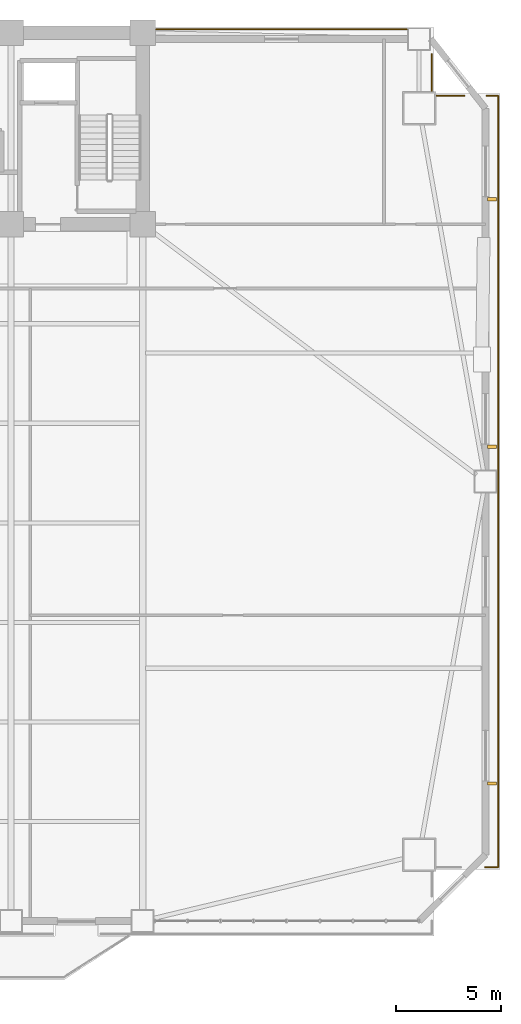
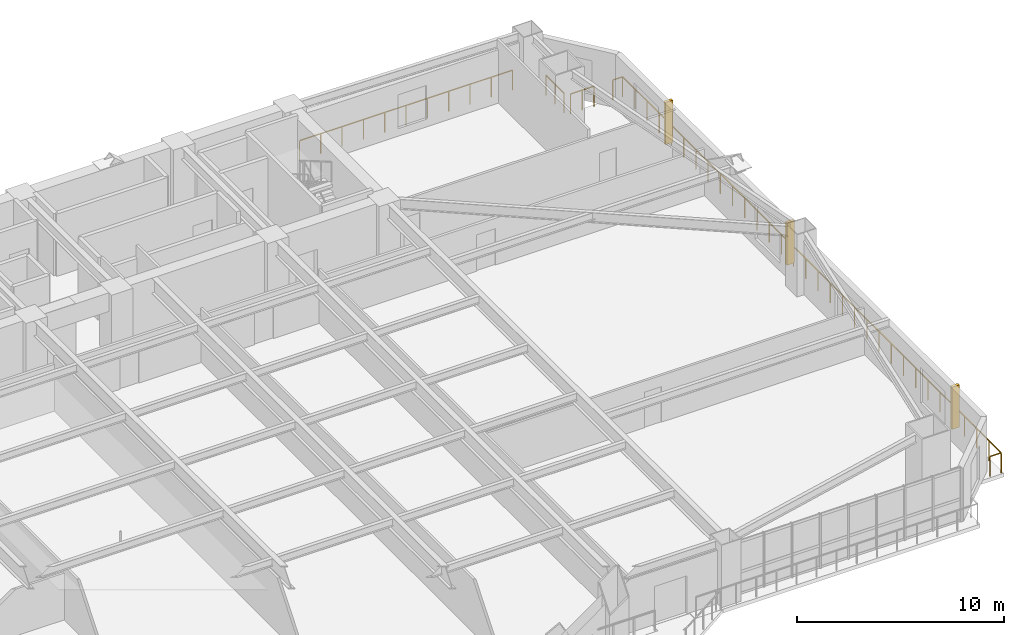
# One storey, part 17 of 17: 6 railings, 3 shading devices.
"""IFC4 building model written with IfcOpenShell, lengths in metres."""

import ifcopenshell
import ifcopenshell.guid

model = None  # the IFC model being written
_history = None  # IfcOwnerHistory: only IFC2X3 demands one
_inside = {}  # id of a spatial element -> (the spatial element, [elements in it])
_under = {}  # id of a project, library or spatial element -> (it, [spatial elements below it])
_declared = {}  # id of a project -> (the project, [libraries it declares])
_typed = {}  # id of a type object -> (the type object, [elements of that type])
_made_of = {}  # id of a material, layer set ... -> (it, [elements and type objects made of it])


def new_model(schema):
    """Start an empty IFC model of exactly this schema.

    Asked for "IFC4X3", IfcOpenShell would pick the latest addendum, in which some entities
    have other attributes; the version numbers below select the first issue.
    IFC2X3 requires an IfcOwnerHistory on every rooted entity: one is made here for all.
    """
    global model, _history
    if schema == "IFC4X3":
        model = ifcopenshell.file(schema_version=(4, 3, 0, 0))
    else:
        model = ifcopenshell.file(schema=schema)
    _inside.clear()
    _under.clear()
    _declared.clear()
    _typed.clear()
    _made_of.clear()
    _history = None
    if model.schema == "IFC2X3":
        org = make("IfcOrganization", Name="unknown")
        user = make(
            "IfcPersonAndOrganization",
            ThePerson=make("IfcPerson", FamilyName="unknown"),
            TheOrganization=org,
        )
        app = make(
            "IfcApplication",
            ApplicationDeveloper=org,
            Version="unknown",
            ApplicationFullName="unknown",
            ApplicationIdentifier="unknown",
        )
        _history = make(
            "IfcOwnerHistory",
            OwningUser=user,
            OwningApplication=app,
            ChangeAction="ADDED",
            CreationDate=0,
        )
    return model


def make(cls, **values):
    """One entity of the class cls with the attributes given. An attribute that is None is left unset."""
    return model.create_entity(
        cls, **{name: value for name, value in values.items() if value is not None}
    )


def rooted(cls, **values):
    """An entity with a GlobalId (a new one), such as an element, a storey or a relation."""
    return make(cls, GlobalId=ifcopenshell.guid.new(), OwnerHistory=_history, **values)


def si_unit(unit_type, name, prefix=None):
    """IfcSIUnit, for example si_unit("LENGTHUNIT", "METRE", prefix="MILLI")."""
    return make("IfcSIUnit", UnitType=unit_type, Prefix=prefix, Name=name)


def assignment(units):
    """IfcUnitAssignment: the units of a project."""
    return None if units is None else make("IfcUnitAssignment", Units=units)


def point(xyz):
    """IfcCartesianPoint."""
    return None if xyz is None else make("IfcCartesianPoint", Coordinates=xyz)


def direction(xyz):
    """IfcDirection."""
    return None if xyz is None else make("IfcDirection", DirectionRatios=xyz)


def frame(location, z_axis=None, x_axis=None):
    """IfcAxis2Placement3D, a coordinate frame: its origin and axes. An axis left out is left unset."""
    return make(
        "IfcAxis2Placement3D",
        Location=point(location),
        Axis=direction(z_axis),
        RefDirection=direction(x_axis),
    )


def frame_2d(location, x_axis=None):
    """IfcAxis2Placement2D, a coordinate frame in the plane: its origin and x axis."""
    return make(
        "IfcAxis2Placement2D", Location=point(location), RefDirection=direction(x_axis)
    )


def origin():
    """The frame at (0, 0, 0) with its axes left unset."""
    return frame((0.0, 0.0, 0.0))


def origin_2d():
    """The frame at (0, 0) in the plane with its x axis left unset."""
    return frame_2d((0.0, 0.0))


def place(relative_to, where):
    """IfcLocalPlacement: puts the frame where relative to a parent placement (None: the world)."""
    return make(
        "IfcLocalPlacement", PlacementRelTo=relative_to, RelativePlacement=where
    )


def context(
    kind, dimensions, precision=None, world=None, true_north=None, identifier=None
):
    """IfcGeometricRepresentationContext, for example the 3D "Model" context."""
    return make(
        "IfcGeometricRepresentationContext",
        ContextIdentifier=identifier,
        ContextType=kind,
        CoordinateSpaceDimension=dimensions,
        Precision=precision,
        WorldCoordinateSystem=world,
        TrueNorth=true_north,
    )


def subcontext(parent, identifier, kind, view, scale=None):
    """IfcGeometricRepresentationSubContext, for example "Body" below "Model"."""
    return make(
        "IfcGeometricRepresentationSubContext",
        ContextIdentifier=identifier,
        ContextType=kind,
        ParentContext=parent,
        TargetScale=scale,
        TargetView=view,
    )


def project(units=None, contexts=None):
    """IfcProject with its units and contexts."""
    return rooted(
        "IfcProject",
        Name="project",
        RepresentationContexts=contexts,
        UnitsInContext=assignment(units),
    )


def spatial(cls, under=None, at=None, **own):
    """A site, building, storey or space (cls), placed at a placement, below another one or the project."""
    s = rooted(cls, ObjectPlacement=at, **own)
    if under is not None:
        _under.setdefault(under.id(), (under, []))[1].append(s)
    return s


def profile(cls, at=None, kind="AREA", **sizes):
    """A parametric profile (cls). Its sizes go by their IFC names, for example OverallWidth=200.0."""
    return make(cls, ProfileType=kind, Position=at, **sizes)


def rectangle(**sizes):
    """IfcRectangleProfileDef."""
    return profile("IfcRectangleProfileDef", **sizes)


def extrude(swept, where, along, depth):
    """IfcExtrudedAreaSolid: the profile swept, set in the frame where, extruded along a direction by depth."""
    return make(
        "IfcExtrudedAreaSolid",
        SweptArea=swept,
        Position=where,
        ExtrudedDirection=direction(along),
        Depth=depth,
    )


def shape(context_of_items, identifier, shape_type, items):
    """IfcShapeRepresentation: the items that make up one representation, for example the "Body"."""
    return make(
        "IfcShapeRepresentation",
        ContextOfItems=context_of_items,
        RepresentationIdentifier=identifier,
        RepresentationType=shape_type,
        Items=items,
    )


def source(mapping_origin, context_of_items, identifier, shape_type, items):
    """IfcRepresentationMap: a shape defined once, which mapped items show again and again."""
    return make(
        "IfcRepresentationMap",
        MappingOrigin=mapping_origin,
        MappedRepresentation=shape(context_of_items, identifier, shape_type, items),
    )


def transform(
    local_origin,
    x_axis=None,
    y_axis=None,
    z_axis=None,
    scale=None,
    scale2=None,
    scale3=None,
    uniform=True,
):
    """IfcCartesianTransformationOperator3D, or its non-uniform kind. x_axis, y_axis, z_axis: its Axis1, 2, 3."""
    if uniform:
        return make(
            "IfcCartesianTransformationOperator3D",
            Axis1=direction(x_axis),
            Axis2=direction(y_axis),
            LocalOrigin=point(local_origin),
            Scale=scale,
            Axis3=direction(z_axis),
        )
    return make(
        "IfcCartesianTransformationOperator3DnonUniform",
        Axis1=direction(x_axis),
        Axis2=direction(y_axis),
        LocalOrigin=point(local_origin),
        Scale=scale,
        Axis3=direction(z_axis),
        Scale2=scale2,
        Scale3=scale3,
    )


def mapped(mapping_source, mapping_target):
    """IfcMappedItem: shows the shape of a source again, moved by a transform."""
    return make(
        "IfcMappedItem", MappingSource=mapping_source, MappingTarget=mapping_target
    )


def material(Name=None, Category=None):
    """IfcMaterial."""
    return make("IfcMaterial", Name=Name, Category=Category)


def made_of(thing, what):
    """Note that an element or type object is made of a material, layer set ...; save() writes the relation."""
    if what is not None:
        _made_of.setdefault(what.id(), (what, []))[1].append(thing)
    return thing


def type_object(cls, material=None, **own):
    """A type object (cls), such as IfcWallType, which elements share."""
    return made_of(rooted(cls, **own), material)


def element(
    cls,
    number,
    at=None,
    inside=None,
    cuts=None,
    type_object=None,
    material=None,
    context=None,
    identifier="Body",
    shape_type=None,
    held_by="IfcProductDefinitionShape",
    body=None,
    shapes=None,
    **own,
):
    """One element of the class cls, such as IfcWall. Its Tag is "e" and its number.

    at: its placement. inside: the storey or other place that contains it. cuts: it is an
    opening in that element (IfcRelVoidsElement). A single representation is given by context,
    identifier, shape_type and body (its items); several are given by shapes. held_by: the class
    of the entity that holds the representations. save() writes the other relations.
    """
    e = rooted(cls, Tag="e%d" % number, ObjectPlacement=at, **own)
    if body is not None:
        shapes = [shape(context, identifier, shape_type, body)]
    if shapes is not None:
        e.Representation = make(held_by, Representations=shapes)
    if inside is not None:
        _inside.setdefault(inside.id(), (inside, []))[1].append(e)
    if cuts is not None:
        rooted(
            "IfcRelVoidsElement", RelatingBuildingElement=cuts, RelatedOpeningElement=e
        )
    if type_object is not None:
        _typed.setdefault(type_object.id(), (type_object, []))[1].append(e)
    return made_of(e, material)


def aggregate(whole, parts):
    """IfcRelAggregates: a whole, such as a stair, and the parts it consists of."""
    return rooted("IfcRelAggregates", RelatingObject=whole, RelatedObjects=parts)


def save(model, path):
    """Write the relations noted so far, then the file.

    IfcRelAggregates (storeys below a building ...), IfcRelContainedInSpatialStructure (elements
    in a storey), IfcRelDefinesByType, IfcRelAssociatesMaterial and IfcRelDeclares: one each for
    every whole, place, type object, material and project.
    """
    for whole, parts in _under.values():
        aggregate(whole, parts)
    for where, things in _inside.values():
        rooted(
            "IfcRelContainedInSpatialStructure",
            RelatedElements=things,
            RelatingStructure=where,
        )
    for kind, things in _typed.values():
        rooted("IfcRelDefinesByType", RelatedObjects=things, RelatingType=kind)
    for what, things in _made_of.values():
        rooted("IfcRelAssociatesMaterial", RelatedObjects=things, RelatingMaterial=what)
    for by, libraries in _declared.values():
        rooted("IfcRelDeclares", RelatingContext=by, RelatedDefinitions=libraries)
    model.write(path)


model = new_model("IFC4")

# Units and contexts
model_context = context("Model", 3, precision=1e-05, world=origin(), true_north=direction((0.0, 1.0)))
body_context = subcontext(model_context, "Body", "Model", "MODEL_VIEW")
ifc_project = project(units=[si_unit("LENGTHUNIT", "METRE"), si_unit("AREAUNIT", "SQUARE_METRE"), si_unit("VOLUMEUNIT", "CUBIC_METRE"), si_unit("PLANEANGLEUNIT", "RADIAN"), si_unit("MASSUNIT", "GRAM", prefix="KILO")], contexts=[model_context])

# Site, building, storey
site_placement = place(None, origin())
site = spatial("IfcSite", under=ifc_project, at=site_placement, CompositionType="ELEMENT")
building_placement = place(site_placement, origin())
building = spatial("IfcBuilding", under=site, at=building_placement, Name="Giltprow Tower", CompositionType="ELEMENT")
storey_placement = place(building_placement, frame((0.0, 0.0, 53.300048828125)))
storey = spatial("IfcBuildingStorey", under=building, at=storey_placement, Name="L13", CompositionType="ELEMENT", Elevation=53.300048828125)

# Railings
ifc_material = material(Name="Anodized bronze", Category="metal")
railing_type = type_object("IfcRailingType", Name="RAIL-BALC-GUARD-1200", PredefinedType="BALUSTRADE", material=ifc_material)
railing_1_placement = place(storey_placement, frame((51.18505859375, 46.699951171875, 0.0)))
element("IfcRailing", 1, at=railing_1_placement, inside=storey, type_object=railing_type, Name="L13 Corner Apron Edge Balustrade 10", PredefinedType="BALUSTRADE", context=body_context, shape_type="SweptSolid", body=[
    extrude(rectangle(XDim=0.048095703125, YDim=0.048095703125, at=origin_2d()), frame((0.0, 0.0, 1.17578125), z_axis=(1.0, 0.0, 0.0), x_axis=(0.0, 1.0, 0.0)), (0.0, 0.0, 1.0), 11.911865234375),
    extrude(rectangle(XDim=0.0419921875, YDim=0.0419921875, at=origin_2d()), origin(), (0.0, 0.0, 1.0), 1.15185546875),
    extrude(rectangle(XDim=0.0419921875, YDim=0.0419921875, at=origin_2d()), frame((1.191162109375, 0.0, 0.0)), (0.0, 0.0, 1.0), 1.15185546875),
    extrude(rectangle(XDim=0.0419921875, YDim=0.0419921875, at=origin_2d()), frame((2.38232421875, 0.0, 0.0)), (0.0, 0.0, 1.0), 1.15185546875),
    extrude(rectangle(XDim=0.0419921875, YDim=0.0419921875, at=origin_2d()), frame((3.573486328125, 0.0, 0.0)), (0.0, 0.0, 1.0), 1.15185546875),
    extrude(rectangle(XDim=0.0419921875, YDim=0.0419921875, at=origin_2d()), frame((4.7646484375, 0.0, 0.0)), (0.0, 0.0, 1.0), 1.15185546875),
    extrude(rectangle(XDim=0.0419921875, YDim=0.0419921875, at=origin_2d()), frame((5.9560546875, 0.0, 0.0)), (0.0, 0.0, 1.0), 1.15185546875),
    extrude(rectangle(XDim=0.0419921875, YDim=0.0419921875, at=origin_2d()), frame((7.147216796875, 0.0, 0.0)), (0.0, 0.0, 1.0), 1.15185546875),
    extrude(rectangle(XDim=0.0419921875, YDim=0.0419921875, at=origin_2d()), frame((8.33837890625, 0.0, 0.0)), (0.0, 0.0, 1.0), 1.15185546875),
    extrude(rectangle(XDim=0.0419921875, YDim=0.0419921875, at=origin_2d()), frame((9.529541015625, 0.0, 0.0)), (0.0, 0.0, 1.0), 1.15185546875),
    extrude(rectangle(XDim=0.0419921875, YDim=0.0419921875, at=origin_2d()), frame((10.720703125, 0.0, 0.0)), (0.0, 0.0, 1.0), 1.15185546875),
    extrude(rectangle(XDim=0.0419921875, YDim=0.0419921875, at=origin_2d()), frame((11.911865234375, 0.0, 0.0)), (0.0, 0.0, 1.0), 1.15185546875),
])
railing_2_placement = place(storey_placement, frame((64.281982421875, 45.52392578125, 0.0)))
element("IfcRailing", 2, at=railing_2_placement, inside=storey, type_object=railing_type, Name="L13 Corner Apron Edge Balustrade 11", PredefinedType="BALUSTRADE", context=body_context, shape_type="SweptSolid", body=[
    extrude(rectangle(XDim=0.048095703125, YDim=0.048095703125, at=origin_2d()), frame((0.0, 0.0, 1.17578125), z_axis=(0.0, -1.0, 0.0), x_axis=(1.0, 0.0, 0.0)), (0.0, 0.0, 1.0), 1.73681640625),
    extrude(rectangle(XDim=0.0419921875, YDim=0.0419921875, at=origin_2d()), origin(), (0.0, 0.0, 1.0), 1.15185546875),
    extrude(rectangle(XDim=0.0419921875, YDim=0.0419921875, at=origin_2d()), frame((0.0, -0.868408203125, 0.0)), (0.0, 0.0, 1.0), 1.15185546875),
    extrude(rectangle(XDim=0.0419921875, YDim=0.0419921875, at=origin_2d()), frame((0.0, -1.73681640625, 0.0)), (0.0, 0.0, 1.0), 1.15185546875),
])
railing_3_placement = place(storey_placement, frame((64.51708984375, 43.552001953125, 0.0)))
element("IfcRailing", 3, at=railing_3_placement, inside=storey, type_object=railing_type, Name="L13 Corner Apron Edge Balustrade 12", PredefinedType="BALUSTRADE", context=body_context, shape_type="SweptSolid", body=[
    extrude(rectangle(XDim=0.048095703125, YDim=0.048095703125, at=origin_2d()), frame((0.0, 0.0, 1.17578125), z_axis=(1.0, 0.0, 0.0), x_axis=(0.0, 1.0, 0.0)), (0.0, 0.0, 1.0), 1.31787109375),
    extrude(rectangle(XDim=0.0419921875, YDim=0.0419921875, at=origin_2d()), origin(), (0.0, 0.0, 1.0), 1.15185546875),
    extrude(rectangle(XDim=0.0419921875, YDim=0.0419921875, at=origin_2d()), frame((0.658935546875, 0.0, 0.0)), (0.0, 0.0, 1.0), 1.15185546875),
    extrude(rectangle(XDim=0.0419921875, YDim=0.0419921875, at=origin_2d()), frame((1.31787109375, 0.0, 0.0)), (0.0, 0.0, 1.0), 1.15185546875),
])
railing_4_placement = place(storey_placement, frame((66.87890625, 43.552001953125, 0.0)))
element("IfcRailing", 4, at=railing_4_placement, inside=storey, type_object=railing_type, Name="L13 Corner Apron Edge Balustrade 13", PredefinedType="BALUSTRADE", context=body_context, shape_type="SweptSolid", body=[
    extrude(rectangle(XDim=0.048095703125, YDim=0.048095703125, at=origin_2d()), frame((0.0, 0.0, 1.17578125), z_axis=(1.0, 0.0, 0.0), x_axis=(0.0, 1.0, 0.0)), (0.0, 0.0, 1.0), 0.551025390625),
    extrude(rectangle(XDim=0.0419921875, YDim=0.0419921875, at=origin_2d()), origin(), (0.0, 0.0, 1.0), 1.15185546875),
    extrude(rectangle(XDim=0.0419921875, YDim=0.0419921875, at=origin_2d()), frame((0.551025390625, 0.0, 0.0)), (0.0, 0.0, 1.0), 1.15185546875),
])
railing_5_placement = place(storey_placement, frame((67.429931640625, 43.552001953125, 0.0)))
element("IfcRailing", 5, at=railing_5_placement, inside=storey, type_object=railing_type, Name="L13 Corner Apron Edge Balustrade 14", PredefinedType="BALUSTRADE", context=body_context, shape_type="SweptSolid", body=[
    extrude(rectangle(XDim=0.048095703125, YDim=0.048095703125, at=origin_2d()), frame((0.0, 0.0, 1.17578125), z_axis=(0.0, -1.0, 0.0), x_axis=(1.0, 0.0, 0.0)), (0.0, 0.0, 1.0), 36.64990234375),
    extrude(rectangle(XDim=0.0419921875, YDim=0.0419921875, at=origin_2d()), origin(), (0.0, 0.0, 1.0), 1.15185546875),
    extrude(rectangle(XDim=0.0419921875, YDim=0.0419921875, at=origin_2d()), frame((0.0, -1.182373046875, 0.0)), (0.0, 0.0, 1.0), 1.15185546875),
    extrude(rectangle(XDim=0.0419921875, YDim=0.0419921875, at=origin_2d()), frame((0.0, -2.364501953125, 0.0)), (0.0, 0.0, 1.0), 1.15185546875),
    extrude(rectangle(XDim=0.0419921875, YDim=0.0419921875, at=origin_2d()), frame((0.0, -3.546875, 0.0)), (0.0, 0.0, 1.0), 1.15185546875),
    extrude(rectangle(XDim=0.0419921875, YDim=0.0419921875, at=origin_2d()), frame((0.0, -4.72900390625, 0.0)), (0.0, 0.0, 1.0), 1.15185546875),
    extrude(rectangle(XDim=0.0419921875, YDim=0.0419921875, at=origin_2d()), frame((0.0, -5.911376953125, 0.0)), (0.0, 0.0, 1.0), 1.15185546875),
    extrude(rectangle(XDim=0.0419921875, YDim=0.0419921875, at=origin_2d()), frame((0.0, -7.093505859375, 0.0)), (0.0, 0.0, 1.0), 1.15185546875),
    extrude(rectangle(XDim=0.0419921875, YDim=0.0419921875, at=origin_2d()), frame((0.0, -8.27587890625, 0.0)), (0.0, 0.0, 1.0), 1.15185546875),
    extrude(rectangle(XDim=0.0419921875, YDim=0.0419921875, at=origin_2d()), frame((0.0, -9.4580078125, 0.0)), (0.0, 0.0, 1.0), 1.15185546875),
    extrude(rectangle(XDim=0.0419921875, YDim=0.0419921875, at=origin_2d()), frame((0.0, -10.640380859375, 0.0)), (0.0, 0.0, 1.0), 1.15185546875),
    extrude(rectangle(XDim=0.0419921875, YDim=0.0419921875, at=origin_2d()), frame((0.0, -11.822509765625, 0.0)), (0.0, 0.0, 1.0), 1.15185546875),
    extrude(rectangle(XDim=0.0419921875, YDim=0.0419921875, at=origin_2d()), frame((0.0, -13.0048828125, 0.0)), (0.0, 0.0, 1.0), 1.15185546875),
    extrude(rectangle(XDim=0.0419921875, YDim=0.0419921875, at=origin_2d()), frame((0.0, -14.18701171875, 0.0)), (0.0, 0.0, 1.0), 1.15185546875),
    extrude(rectangle(XDim=0.0419921875, YDim=0.0419921875, at=origin_2d()), frame((0.0, -15.369384765625, 0.0)), (0.0, 0.0, 1.0), 1.15185546875),
    extrude(rectangle(XDim=0.0419921875, YDim=0.0419921875, at=origin_2d()), frame((0.0, -16.551513671875, 0.0)), (0.0, 0.0, 1.0), 1.15185546875),
    extrude(rectangle(XDim=0.0419921875, YDim=0.0419921875, at=origin_2d()), frame((0.0, -17.73388671875, 0.0)), (0.0, 0.0, 1.0), 1.15185546875),
    extrude(rectangle(XDim=0.0419921875, YDim=0.0419921875, at=origin_2d()), frame((0.0, -18.916015625, 0.0)), (0.0, 0.0, 1.0), 1.15185546875),
    extrude(rectangle(XDim=0.0419921875, YDim=0.0419921875, at=origin_2d()), frame((0.0, -20.098388671875, 0.0)), (0.0, 0.0, 1.0), 1.15185546875),
    extrude(rectangle(XDim=0.0419921875, YDim=0.0419921875, at=origin_2d()), frame((0.0, -21.280517578125, 0.0)), (0.0, 0.0, 1.0), 1.15185546875),
    extrude(rectangle(XDim=0.0419921875, YDim=0.0419921875, at=origin_2d()), frame((0.0, -22.462890625, 0.0)), (0.0, 0.0, 1.0), 1.15185546875),
    extrude(rectangle(XDim=0.0419921875, YDim=0.0419921875, at=origin_2d()), frame((0.0, -23.64501953125, 0.0)), (0.0, 0.0, 1.0), 1.15185546875),
    extrude(rectangle(XDim=0.0419921875, YDim=0.0419921875, at=origin_2d()), frame((0.0, -24.827392578125, 0.0)), (0.0, 0.0, 1.0), 1.15185546875),
    extrude(rectangle(XDim=0.0419921875, YDim=0.0419921875, at=origin_2d()), frame((0.0, -26.009521484375, 0.0)), (0.0, 0.0, 1.0), 1.15185546875),
    extrude(rectangle(XDim=0.0419921875, YDim=0.0419921875, at=origin_2d()), frame((0.0, -27.19189453125, 0.0)), (0.0, 0.0, 1.0), 1.15185546875),
    extrude(rectangle(XDim=0.0419921875, YDim=0.0419921875, at=origin_2d()), frame((0.0, -28.3740234375, 0.0)), (0.0, 0.0, 1.0), 1.15185546875),
    extrude(rectangle(XDim=0.0419921875, YDim=0.0419921875, at=origin_2d()), frame((0.0, -29.556396484375, 0.0)), (0.0, 0.0, 1.0), 1.15185546875),
    extrude(rectangle(XDim=0.0419921875, YDim=0.0419921875, at=origin_2d()), frame((0.0, -30.738525390625, 0.0)), (0.0, 0.0, 1.0), 1.15185546875),
    extrude(rectangle(XDim=0.0419921875, YDim=0.0419921875, at=origin_2d()), frame((0.0, -31.9208984375, 0.0)), (0.0, 0.0, 1.0), 1.15185546875),
    extrude(rectangle(XDim=0.0419921875, YDim=0.0419921875, at=origin_2d()), frame((0.0, -33.10302734375, 0.0)), (0.0, 0.0, 1.0), 1.15185546875),
    extrude(rectangle(XDim=0.0419921875, YDim=0.0419921875, at=origin_2d()), frame((0.0, -34.285400390625, 0.0)), (0.0, 0.0, 1.0), 1.15185546875),
    extrude(rectangle(XDim=0.0419921875, YDim=0.0419921875, at=origin_2d()), frame((0.0, -35.467529296875, 0.0)), (0.0, 0.0, 1.0), 1.15185546875),
    extrude(rectangle(XDim=0.0419921875, YDim=0.0419921875, at=origin_2d()), frame((0.0, -36.64990234375, 0.0)), (0.0, 0.0, 1.0), 1.15185546875),
])
railing_6_placement = place(storey_placement, frame((67.429931640625, 6.902099609375, 0.0)))
element("IfcRailing", 6, at=railing_6_placement, inside=storey, type_object=railing_type, Name="L13 Corner Apron Edge Balustrade 15", PredefinedType="BALUSTRADE", context=body_context, shape_type="SweptSolid", body=[
    extrude(rectangle(XDim=0.048095703125, YDim=0.048095703125, at=origin_2d()), frame((0.0, 0.0, 1.17578125), z_axis=(-1.0, 0.0, 0.0), x_axis=(0.0, -1.0, 0.0)), (0.0, 0.0, 1.0), 0.619873046875),
    extrude(rectangle(XDim=0.0419921875, YDim=0.0419921875, at=origin_2d()), origin(), (0.0, 0.0, 1.0), 1.15185546875),
    extrude(rectangle(XDim=0.0419921875, YDim=0.0419921875, at=origin_2d()), frame((-0.619873046875, 0.0, 0.0)), (0.0, 0.0, 1.0), 1.15185546875),
])

# Shading devices
shading_device_type = type_object("IfcShadingDeviceType", Name="SHD-FIN-420", PredefinedType="USERDEFINED", material=ifc_material)
shared_shape = source(origin(), body_context, "Body", "SweptSolid", [
    extrude(rectangle(XDim=0.419921875, YDim=0.159912109375, at=origin_2d()), origin(), (0.0, 0.0, 1.0), 2.5),
])
for number, where, z_axis, x_axis, name in (
    (7, (67.14990234375, 10.887939453125, 0.349853515625), (0.0, 0.0, 1.0), (1.0, 0.0, 0.0), "L13 E Bronze Vertical Fin 1-1"),
    (8, (67.14990234375, 26.882080078125, 0.349853515625), (0.0, 0.0, 1.0), (1.0, 0.0, 0.0), "L13 E Bronze Vertical Fin 2-1"),
    (9, (67.14990234375, 38.637939453125, 0.349853515625), (0.0, 0.0, 1.0), (1.0, 0.0, 0.0), "L13 E Bronze Vertical Fin 2-2"),
):
    element("IfcShadingDevice", number, at=place(storey_placement, frame(where, z_axis=z_axis, x_axis=x_axis)), inside=storey, type_object=shading_device_type, Name=name, ObjectType="FIN", PredefinedType="USERDEFINED", context=body_context, shape_type="MappedRepresentation", body=[
        mapped(shared_shape, transform((0.0, 0.0, 0.0), x_axis=(1.0, 0.0, 0.0), y_axis=(0.0, 1.0, 0.0), z_axis=(0.0, 0.0, 1.0), scale=1.0)),
    ])

save(model, "model.ifc")
